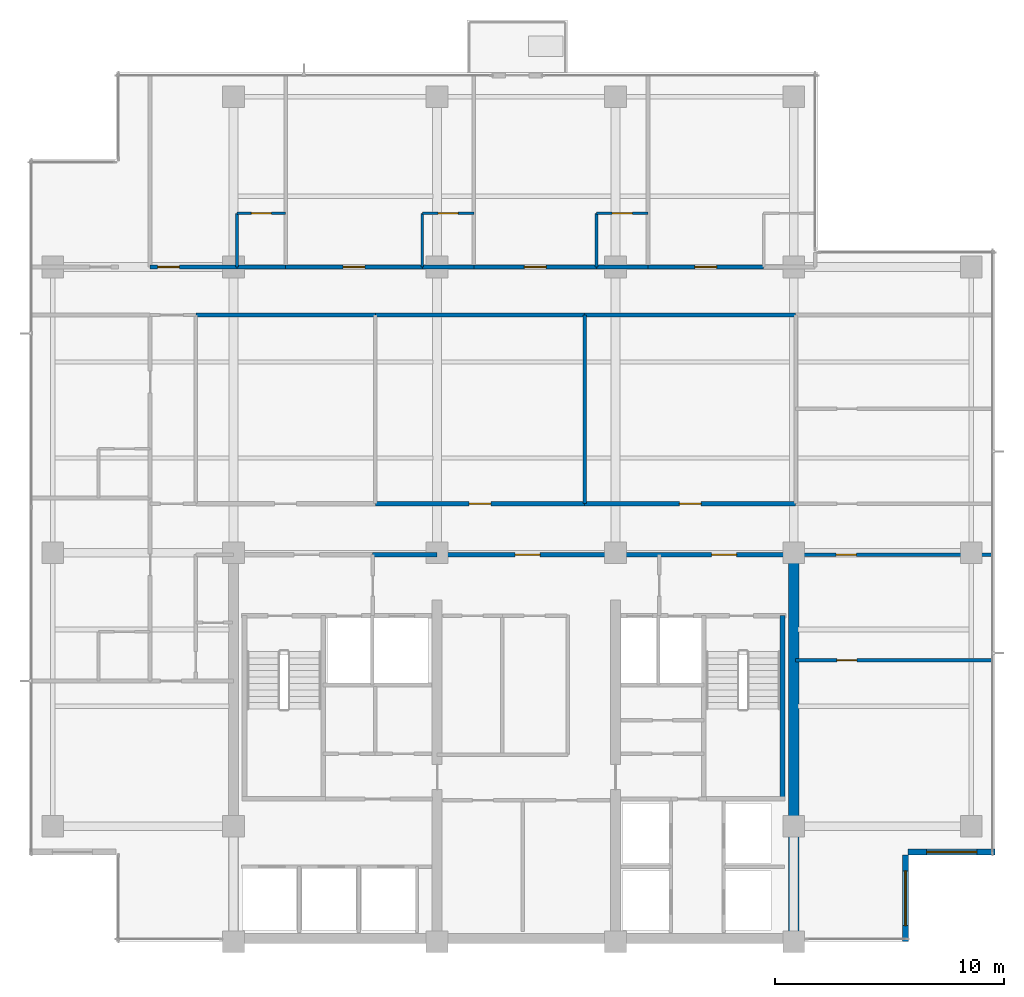
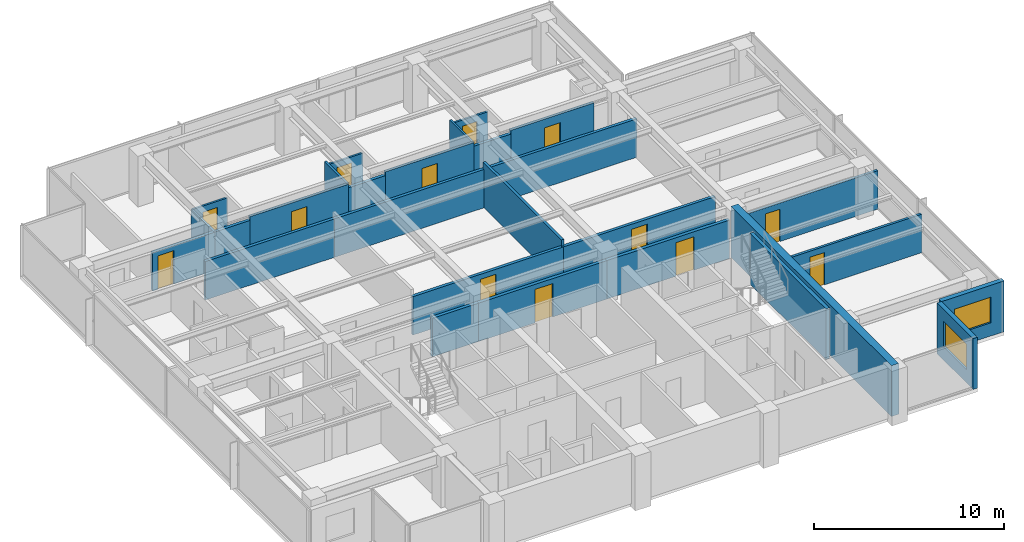
# One storey, part 9 of 15: 28 walls, 13 doors, 2 windows, 15 openings.
"""IFC4 building model written with IfcOpenShell, lengths in metres."""

from ifc_helpers import new_model, si_unit, direction, frame, frame_2d, origin, place, context, subcontext, project, spatial, rectangle, extrude, material, layer, layer_set, type_object, element, fill, save


model = new_model("IFC4")

# Units and contexts
model_context = context("Model", 3, precision=1e-05, world=origin(), true_north=direction((0.0, 1.0)))
body_context = subcontext(model_context, "Body", "Model", "MODEL_VIEW")
ifc_project = project(units=[si_unit("LENGTHUNIT", "METRE"), si_unit("AREAUNIT", "SQUARE_METRE"), si_unit("VOLUMEUNIT", "CUBIC_METRE"), si_unit("PLANEANGLEUNIT", "RADIAN"), si_unit("MASSUNIT", "GRAM", prefix="KILO")], contexts=[model_context])

# Site, building, storey
site_placement = place(None, origin())
site = spatial("IfcSite", under=ifc_project, at=site_placement, CompositionType="ELEMENT")
building_placement = place(site_placement, origin())
building = spatial("IfcBuilding", under=site, at=building_placement, Name="Qalmaran Belvedere Hotel", CompositionType="ELEMENT")
storey_placement = place(building_placement, frame((0.0, 0.0, 214.39990234375)))
storey = spatial("IfcBuildingStorey", under=building, at=storey_placement, Name="L54", CompositionType="ELEMENT", Elevation=214.39990234375)

# Wall
ifc_material_1 = material(Name="Concrete C50/60", Category="concrete")
ifc_layer_1 = layer(ifc_material_1, 0.449951171875, Name="Concrete C50/60")
ifc_layer_set_1 = layer_set([ifc_layer_1], Name="Concrete C50/60")
wall_type_1 = type_object("IfcWallType", Name="WL-CORE-450-C50", PredefinedType="SHEAR", material=ifc_layer_set_1)
wall_1_placement = place(storey_placement, frame((44.800048828125, 3.5, 0.0), z_axis=(0.0, 0.0, 1.0), x_axis=(0.0, 1.0, 0.0)))
element("IfcWall", 1, at=wall_1_placement, inside=storey, type_object=wall_type_1, Name="L54 East Core Shear Wall", PredefinedType="SHEAR", context=body_context, shape_type="SweptSolid", body=[
    extrude(rectangle(XDim=16.89990234375, YDim=0.449951171875, at=frame_2d((8.449951171875, 0.0))), origin(), (0.0, 0.0, 1.0), 3.260009765625),
])

# Wall, opening, window
ifc_material_2 = material(Name="Anodised Bronze Cladding")
ifc_layer_2 = layer(ifc_material_2, 0.280029296875, Name="Anodised Bronze Cladding")
ifc_layer_set_2 = layer_set([ifc_layer_2], Name="Anodised Bronze Cladding")
wall_type_2 = type_object("IfcWallType", Name="WL-EXT-BRNZ-280", PredefinedType="SOLIDWALL", material=ifc_layer_set_2)
wall_2_placement = place(storey_placement, frame((49.679931640625, 3.5, 0.0), z_axis=(0.0, 0.0, 1.0), x_axis=(0.0, 1.0, 0.0)))
wall_2 = element("IfcWall", 2, at=wall_2_placement, inside=storey, type_object=wall_type_2, Name="L54 Corner Notch Wall 1", PredefinedType="SOLIDWALL", context=body_context, shape_type="SweptSolid", body=[
    extrude(rectangle(XDim=3.800048828125, YDim=0.280029296875, at=frame_2d((1.89990234375, 0.0))), origin(), (0.0, 0.0, 1.0), 3.260009765625),
])
opening_1_placement = place(wall_2_placement, frame((0.699951171875, 0.0, 0.85009765625)))
opening_1 = element("IfcOpeningElement", 3, at=opening_1_placement, cuts=wall_2, Name="Opening W-N24", PredefinedType="OPENING", context=body_context, shape_type="SweptSolid", body=[
    extrude(rectangle(XDim=2.39990234375, YDim=1.64990234375, at=frame_2d((1.199951171875, 0.824951171875))), frame((0.0, 0.14990234375, 0.0), z_axis=(0.0, -1.0, 0.0), x_axis=(1.0, 0.0, 0.0)), (0.0, 0.0, 1.0), 0.300048828125),
])
ifc_material_3 = material(Name="Solar-Control Double Glazing", Category="glass")
window_type_1 = type_object("IfcWindowType", Name="WN-NTC-2400X1650", PartitioningType="SINGLE_PANEL", PredefinedType="WINDOW", material=ifc_material_3)
window_1_placement = place(opening_1_placement, origin())
window_1 = element("IfcWindow", 4, at=window_1_placement, inside=storey, type_object=window_type_1, Name="L54 Corner Notch Window 1", OverallHeight=1.64990234375, OverallWidth=2.39990234375, PartitioningType="SINGLE_PANEL", PredefinedType="WINDOW", context=body_context, shape_type="SweptSolid", body=[
    extrude(rectangle(XDim=2.39990234375, YDim=1.64990234375, at=frame_2d((1.199951171875, 0.824951171875))), frame((0.0, 0.030029296875, 0.0), z_axis=(0.0, -1.0, 0.0), x_axis=(1.0, 0.0, 0.0)), (0.0, 0.0, 1.0), 0.06005859375),
])
fill(opening_1, window_1)

wall_3_placement = place(storey_placement, frame((49.800048828125, 7.419921875, 0.0), z_axis=(0.0, 0.0, 1.0), x_axis=(1.0, 0.0, 0.0)))
wall_3 = element("IfcWall", 5, at=wall_3_placement, inside=storey, type_object=wall_type_2, Name="L54 Corner Notch Wall 2", PredefinedType="SOLIDWALL", context=body_context, shape_type="SweptSolid", body=[
    extrude(rectangle(XDim=3.800048828125, YDim=0.280029296875, at=frame_2d((1.89990234375, 0.0))), origin(), (0.0, 0.0, 1.0), 3.260009765625),
])
opening_2_placement = place(wall_3_placement, frame((0.800048828125, 0.0, 0.85009765625)))
opening_2 = element("IfcOpeningElement", 6, at=opening_2_placement, cuts=wall_3, Name="Opening W-N22", PredefinedType="OPENING", context=body_context, shape_type="SweptSolid", body=[
    extrude(rectangle(XDim=2.199951171875, YDim=1.64990234375, at=frame_2d((1.10009765625, 0.824951171875))), frame((0.0, 0.14990234375, 0.0), z_axis=(0.0, -1.0, 0.0), x_axis=(1.0, 0.0, 0.0)), (0.0, 0.0, 1.0), 0.300048828125),
])
window_type_2 = type_object("IfcWindowType", Name="WN-NTC-2200X1650", PartitioningType="SINGLE_PANEL", PredefinedType="WINDOW", material=ifc_material_3)
window_2_placement = place(opening_2_placement, origin())
window_2 = element("IfcWindow", 7, at=window_2_placement, inside=storey, type_object=window_type_2, Name="L54 Corner Notch Window 2", OverallHeight=1.64990234375, OverallWidth=2.199951171875, PartitioningType="SINGLE_PANEL", PredefinedType="WINDOW", context=body_context, shape_type="SweptSolid", body=[
    extrude(rectangle(XDim=2.199951171875, YDim=1.64990234375, at=frame_2d((1.10009765625, 0.824951171875))), frame((0.0, 0.030029296875, 0.0), z_axis=(0.0, -1.0, 0.0), x_axis=(1.0, 0.0, 0.0)), (0.0, 0.0, 1.0), 0.06005859375),
])
fill(opening_2, window_2)

# Wall, opening, door
ifc_material_4 = material(Name="Moisture-Resistant Gypsum")
ifc_layer_3 = layer(ifc_material_4, 0.1201171875, Name="Moisture-Resistant Gypsum")
ifc_layer_set_3 = layer_set([ifc_layer_3], Name="Moisture-Resistant Gypsum")
wall_type_3 = type_object("IfcWallType", Name="WL-INT-120-BATH", PredefinedType="PARTITIONING", material=ifc_layer_set_3)
wall_4_placement = place(storey_placement, frame((20.450439453125, 35.35009765625, 0.0), z_axis=(0.0, 0.0, 1.0), x_axis=(1.0, 0.0, 0.0)))
wall_4 = element("IfcWall", 8, at=wall_4_placement, inside=storey, type_object=wall_type_3, Name="L54 Partition WL-L54-NBN00", PredefinedType="PARTITIONING", context=body_context, shape_type="SweptSolid", body=[
    extrude(rectangle(XDim=2.1298828125, YDim=0.1201171875, at=frame_2d((1.06494140625, 0.0))), origin(), (0.0, 0.0, 1.0), 2.47216796875),
])
opening_3_placement = place(wall_4_placement, frame((1.5048828125, 0.0, 0.0), z_axis=(0.0, 0.0, 1.0), x_axis=(-1.0, 0.0, 0.0)))
opening_3 = element("IfcOpeningElement", 9, at=opening_3_placement, cuts=wall_4, Name="Opening D-BATH", PredefinedType="OPENING", context=body_context, shape_type="SweptSolid", body=[
    extrude(rectangle(XDim=0.8798828125, YDim=2.080078125, at=frame_2d((0.43994140625, 1.0400390625))), frame((0.0, 0.070068359375, 0.0), z_axis=(0.0, -1.0, 0.0), x_axis=(1.0, 0.0, 0.0)), (0.0, 0.0, 1.0), 0.14013671875),
])
ifc_material_5 = material(Name="Engineered Oak Veneer")
door_type_1 = type_object("IfcDoorType", Name="DR-INT-BATH-880X2080", OperationType="NOTDEFINED", PredefinedType="DOOR", material=ifc_material_5)
door_1_placement = place(opening_3_placement, origin())
door_1 = element("IfcDoor", 10, at=door_1_placement, inside=storey, type_object=door_type_1, Name="L54 Ensuite Bathroom Door N01", OperationType="SINGLE_SWING_RIGHT", OverallHeight=2.080078125, OverallWidth=0.8798828125, PredefinedType="DOOR", context=body_context, shape_type="SweptSolid", body=[
    extrude(rectangle(XDim=0.8798828125, YDim=2.080078125, at=frame_2d((0.43994140625, 1.0400390625))), frame((0.0, 0.02490234375, 0.0), z_axis=(0.0, -1.0, 0.0), x_axis=(1.0, 0.0, 0.0)), (0.0, 0.0, 1.0), 0.050048828125),
])
fill(opening_3, door_1)

# Wall
wall_5_placement = place(storey_placement, frame((20.450439453125, 33.0, 0.0), z_axis=(0.0, 0.0, 1.0), x_axis=(0.0, 1.0, 0.0)))
element("IfcWall", 11, at=wall_5_placement, inside=storey, type_object=wall_type_3, Name="L54 Partition WL-L54-NBS00", PredefinedType="PARTITIONING", context=body_context, shape_type="SweptSolid", body=[
    extrude(rectangle(XDim=2.35009765625, YDim=0.1201171875, at=frame_2d((1.175048828125, 0.0))), origin(), (0.0, 0.0, 1.0), 2.47216796875),
])

# Wall, opening, door
wall_6_placement = place(storey_placement, frame((28.5546875, 35.35009765625, 0.0), z_axis=(0.0, 0.0, 1.0), x_axis=(1.0, 0.0, 0.0)))
wall_6 = element("IfcWall", 12, at=wall_6_placement, inside=storey, type_object=wall_type_3, Name="L54 Partition WL-L54-NBN01", PredefinedType="PARTITIONING", context=body_context, shape_type="SweptSolid", body=[
    extrude(rectangle(XDim=2.25, YDim=0.1201171875, at=frame_2d((1.125, 0.0))), origin(), (0.0, 0.0, 1.0), 2.47216796875),
])
opening_4_placement = place(wall_6_placement, frame((1.56494140625, 0.0, 0.0), z_axis=(0.0, 0.0, 1.0), x_axis=(-1.0, 0.0, 0.0)))
opening_4 = element("IfcOpeningElement", 13, at=opening_4_placement, cuts=wall_6, Name="Opening D-BATH", PredefinedType="OPENING", context=body_context, shape_type="SweptSolid", body=[
    extrude(rectangle(XDim=0.8798828125, YDim=2.080078125, at=frame_2d((0.43994140625, 1.0400390625))), frame((0.0, 0.070068359375, 0.0), z_axis=(0.0, -1.0, 0.0), x_axis=(1.0, 0.0, 0.0)), (0.0, 0.0, 1.0), 0.14013671875),
])
door_2_placement = place(opening_4_placement, origin())
door_2 = element("IfcDoor", 14, at=door_2_placement, inside=storey, type_object=door_type_1, Name="L54 Ensuite Bathroom Door N02", OperationType="SINGLE_SWING_RIGHT", OverallHeight=2.080078125, OverallWidth=0.8798828125, PredefinedType="DOOR", context=body_context, shape_type="SweptSolid", body=[
    extrude(rectangle(XDim=0.8798828125, YDim=2.080078125, at=frame_2d((0.43994140625, 1.0400390625))), frame((0.0, 0.02490234375, 0.0), z_axis=(0.0, -1.0, 0.0), x_axis=(1.0, 0.0, 0.0)), (0.0, 0.0, 1.0), 0.050048828125),
])
fill(opening_4, door_2)

# Wall
wall_7_placement = place(storey_placement, frame((28.5546875, 33.0, 0.0), z_axis=(0.0, 0.0, 1.0), x_axis=(0.0, 1.0, 0.0)))
element("IfcWall", 15, at=wall_7_placement, inside=storey, type_object=wall_type_3, Name="L54 Partition WL-L54-NBS01", PredefinedType="PARTITIONING", context=body_context, shape_type="SweptSolid", body=[
    extrude(rectangle(XDim=2.35009765625, YDim=0.1201171875, at=frame_2d((1.175048828125, 0.0))), origin(), (0.0, 0.0, 1.0), 2.7060546875),
])

# Wall, opening, door
wall_8_placement = place(storey_placement, frame((36.169677734375, 35.35009765625, 0.0), z_axis=(0.0, 0.0, 1.0), x_axis=(1.0, 0.0, 0.0)))
wall_8 = element("IfcWall", 16, at=wall_8_placement, inside=storey, type_object=wall_type_3, Name="L54 Partition WL-L54-NBN02", PredefinedType="PARTITIONING", context=body_context, shape_type="SweptSolid", body=[
    extrude(rectangle(XDim=2.25, YDim=0.1201171875, at=frame_2d((1.125, 0.0))), origin(), (0.0, 0.0, 1.0), 2.47216796875),
])
opening_5_placement = place(wall_8_placement, frame((1.56494140625, 0.0, 0.0), z_axis=(0.0, 0.0, 1.0), x_axis=(-1.0, 0.0, 0.0)))
opening_5 = element("IfcOpeningElement", 17, at=opening_5_placement, cuts=wall_8, Name="Opening D-BATH", PredefinedType="OPENING", context=body_context, shape_type="SweptSolid", body=[
    extrude(rectangle(XDim=0.8798828125, YDim=2.080078125, at=frame_2d((0.43994140625, 1.0400390625))), frame((0.0, 0.070068359375, 0.0), z_axis=(0.0, -1.0, 0.0), x_axis=(1.0, 0.0, 0.0)), (0.0, 0.0, 1.0), 0.14013671875),
])
door_3_placement = place(opening_5_placement, origin())
door_3 = element("IfcDoor", 18, at=door_3_placement, inside=storey, type_object=door_type_1, Name="L54 Ensuite Bathroom Door N03", OperationType="SINGLE_SWING_RIGHT", OverallHeight=2.080078125, OverallWidth=0.8798828125, PredefinedType="DOOR", context=body_context, shape_type="SweptSolid", body=[
    extrude(rectangle(XDim=0.8798828125, YDim=2.080078125, at=frame_2d((0.43994140625, 1.0400390625))), frame((0.0, 0.02490234375, 0.0), z_axis=(0.0, -1.0, 0.0), x_axis=(1.0, 0.0, 0.0)), (0.0, 0.0, 1.0), 0.050048828125),
])
fill(opening_5, door_3)

# Wall
wall_9_placement = place(storey_placement, frame((36.169677734375, 33.0, 0.0), z_axis=(0.0, 0.0, 1.0), x_axis=(0.0, 1.0, 0.0)))
element("IfcWall", 19, at=wall_9_placement, inside=storey, type_object=wall_type_3, Name="L54 Partition WL-L54-NBS02", PredefinedType="PARTITIONING", context=body_context, shape_type="SweptSolid", body=[
    extrude(rectangle(XDim=2.35009765625, YDim=0.1201171875, at=frame_2d((1.175048828125, 0.0))), origin(), (0.0, 0.0, 1.0), 2.7060546875),
])

# Wall, opening, door
ifc_material_6 = material(Name="Gypsum Stud Partition")
ifc_layer_4 = layer(ifc_material_6, 0.14990234375, Name="Gypsum Stud Partition")
ifc_layer_set_4 = layer_set([ifc_layer_4], Name="Gypsum Stud Partition")
wall_type_4 = type_object("IfcWallType", Name="WL-INT-150-EI60", PredefinedType="PARTITIONING", material=ifc_layer_set_4)
wall_10_placement = place(storey_placement, frame((44.8798828125, 15.800048828125, 0.0), z_axis=(0.0, 0.0, 1.0), x_axis=(1.0, 0.0, 0.0)))
wall_10 = element("IfcWall", 20, at=wall_10_placement, inside=storey, type_object=wall_type_4, Name="L54 Partition WL-L54-ECEH0", PredefinedType="PARTITIONING", context=body_context, shape_type="SweptSolid", body=[
    extrude(rectangle(XDim=8.60009765625, YDim=0.14990234375, at=frame_2d((4.300048828125, 0.0))), origin(), (0.0, 0.0, 1.0), 2.47216796875),
])
opening_6_placement = place(wall_10_placement, frame((2.679931640625, 0.0, 0.0), z_axis=(0.0, 0.0, 1.0), x_axis=(-1.0, 0.0, 0.0)))
opening_6 = element("IfcOpeningElement", 21, at=opening_6_placement, cuts=wall_10, Name="Opening FD60B", PredefinedType="OPENING", context=body_context, shape_type="SweptSolid", body=[
    extrude(rectangle(XDim=0.8798828125, YDim=2.080078125, at=frame_2d((0.43994140625, 1.0400390625))), frame((0.0, 0.0849609375, 0.0), z_axis=(0.0, -1.0, 0.0), x_axis=(1.0, 0.0, 0.0)), (0.0, 0.0, 1.0), 0.169921875),
])
ifc_material_7 = material(Name="Steel S355JR", Category="steel")
door_type_2 = type_object("IfcDoorType", Name="DR-FD60B-880X2080", OperationType="NOTDEFINED", PredefinedType="DOOR", material=ifc_material_7)
door_4_placement = place(opening_6_placement, origin())
door_4 = element("IfcDoor", 22, at=door_4_placement, inside=storey, type_object=door_type_2, Name="L54 East Study Inner Door", OperationType="SINGLE_SWING_LEFT", OverallHeight=2.080078125, OverallWidth=0.8798828125, PredefinedType="DOOR", context=body_context, shape_type="SweptSolid", body=[
    extrude(rectangle(XDim=0.8798828125, YDim=2.080078125, at=frame_2d((0.43994140625, 1.0400390625))), frame((0.0, 0.02490234375, 0.0), z_axis=(0.0, -1.0, 0.0), x_axis=(1.0, 0.0, 0.0)), (0.0, 0.0, 1.0), 0.050048828125),
])
fill(opening_6, door_4)

ifc_layer_5 = layer(ifc_material_6, 0.159912109375, Name="Gypsum Stud Partition")
ifc_layer_set_5 = layer_set([ifc_layer_5], Name="Gypsum Stud Partition")
wall_type_5 = type_object("IfcWallType", Name="WL-INT-160-EI60", PredefinedType="PARTITIONING", material=ifc_layer_set_5)
wall_11_placement = place(storey_placement, frame((44.800048828125, 20.419921875, 0.0), z_axis=(0.0, 0.0, 1.0), x_axis=(1.0, 0.0, 0.0)))
wall_11 = element("IfcWall", 23, at=wall_11_placement, inside=storey, type_object=wall_type_5, Name="L54 Partition WL-L54-ECE1S", PredefinedType="PARTITIONING", context=body_context, shape_type="SweptSolid", body=[
    extrude(rectangle(XDim=8.679931640625, YDim=0.159912109375, at=frame_2d((4.33984375, 0.0))), origin(), (0.0, 0.0, 1.0), 2.47216796875),
])
opening_7_placement = place(wall_11_placement, frame((2.72998046875, 0.0, 0.0), z_axis=(0.0, 0.0, 1.0), x_axis=(-1.0, 0.0, 0.0)))
opening_7 = element("IfcOpeningElement", 24, at=opening_7_placement, cuts=wall_11, Name="Opening FD60B", PredefinedType="OPENING", context=body_context, shape_type="SweptSolid", body=[
    extrude(rectangle(XDim=0.8798828125, YDim=2.080078125, at=frame_2d((0.43994140625, 1.0400390625))), frame((0.0, 0.08984375, 0.0), z_axis=(0.0, -1.0, 0.0), x_axis=(1.0, 0.0, 0.0)), (0.0, 0.0, 1.0), 0.179931640625),
])
door_5_placement = place(opening_7_placement, origin())
door_5 = element("IfcDoor", 25, at=door_5_placement, inside=storey, type_object=door_type_2, Name="L54 East Library Door", OperationType="SINGLE_SWING_LEFT", OverallHeight=2.080078125, OverallWidth=0.8798828125, PredefinedType="DOOR", context=body_context, shape_type="SweptSolid", body=[
    extrude(rectangle(XDim=0.8798828125, YDim=2.080078125, at=frame_2d((0.43994140625, 1.0400390625))), frame((0.0, 0.02490234375, 0.0), z_axis=(0.0, -1.0, 0.0), x_axis=(1.0, 0.0, 0.0)), (0.0, 0.0, 1.0), 0.050048828125),
])
fill(opening_7, door_5)

# Walls
wall_12_placement = place(storey_placement, frame((35.64990234375, 22.64990234375, 0.0), z_axis=(0.0, 0.0, 1.0), x_axis=(0.0, 1.0, 0.0)))
element("IfcWall", 26, at=wall_12_placement, inside=storey, type_object=wall_type_5, Name="L54 Partition WL-L54-MIDVR2", PredefinedType="PARTITIONING", context=body_context, shape_type="SweptSolid", body=[
    extrude(rectangle(XDim=8.25, YDim=0.159912109375, at=frame_2d((4.125, 0.0))), origin(), (0.0, 0.0, 1.0), 2.88720703125),
])
ifc_layer_6 = layer(ifc_material_6, 0.179931640625, Name="Gypsum Stud Partition")
ifc_layer_set_6 = layer_set([ifc_layer_6], Name="Gypsum Stud Partition")
wall_type_6 = type_object("IfcWallType", Name="WL-INT-180-EI60", PredefinedType="PARTITIONING", material=ifc_layer_set_6)
wall_13_placement = place(storey_placement, frame((18.64990234375, 30.89990234375, 0.0), z_axis=(0.0, 0.0, 1.0), x_axis=(1.0, 0.0, 0.0)))
element("IfcWall", 27, at=wall_13_placement, inside=storey, type_object=wall_type_6, Name="L54 Partition WL-L54-MIDO1", PredefinedType="PARTITIONING", context=body_context, shape_type="SweptSolid", body=[
    extrude(rectangle(XDim=7.85009765625, YDim=0.179931640625, at=frame_2d((3.925048828125, 0.0))), origin(), (0.0, 0.0, 1.0), 2.47216796875),
])

# Wall, opening, door
wall_14_placement = place(storey_placement, frame((26.5, 22.64990234375, 0.0), z_axis=(0.0, 0.0, 1.0), x_axis=(1.0, 0.0, 0.0)))
wall_14 = element("IfcWall", 28, at=wall_14_placement, inside=storey, type_object=wall_type_6, Name="L54 Partition WL-L54-MIDD2", PredefinedType="PARTITIONING", context=body_context, shape_type="SweptSolid", body=[
    extrude(rectangle(XDim=9.14990234375, YDim=0.179931640625, at=frame_2d((4.574951171875, 0.0))), origin(), (0.0, 0.0, 1.0), 2.47216796875),
])
opening_8_placement = place(wall_14_placement, frame((4.10009765625, 0.0, 0.0)))
opening_8 = element("IfcOpeningElement", 29, at=opening_8_placement, cuts=wall_14, Name="Opening FD60", PredefinedType="OPENING", context=body_context, shape_type="SweptSolid", body=[
    extrude(rectangle(XDim=0.949951171875, YDim=2.14990234375, at=frame_2d((0.47509765625, 1.074951171875))), frame((0.0, 0.10009765625, 0.0), z_axis=(0.0, -1.0, 0.0), x_axis=(1.0, 0.0, 0.0)), (0.0, 0.0, 1.0), 0.199951171875),
])
door_type_3 = type_object("IfcDoorType", Name="DR-FD60-950X2150", OperationType="NOTDEFINED", PredefinedType="DOOR", material=ifc_material_5)
door_6_placement = place(opening_8_placement, origin())
door_6 = element("IfcDoor", 30, at=door_6_placement, inside=storey, type_object=door_type_3, Name="L54 Club Lounge Door", OperationType="SINGLE_SWING_RIGHT", OverallHeight=2.14990234375, OverallWidth=0.949951171875, PredefinedType="DOOR", context=body_context, shape_type="SweptSolid", body=[
    extrude(rectangle(XDim=0.949951171875, YDim=2.14990234375, at=frame_2d((0.47509765625, 1.074951171875))), frame((0.0, 0.02490234375, 0.0), z_axis=(0.0, -1.0, 0.0), x_axis=(1.0, 0.0, 0.0)), (0.0, 0.0, 1.0), 0.050048828125),
])
fill(opening_8, door_6)

# Wall
wall_15_placement = place(storey_placement, frame((26.5, 30.89990234375, 0.0), z_axis=(0.0, 0.0, 1.0), x_axis=(1.0, 0.0, 0.0)))
element("IfcWall", 31, at=wall_15_placement, inside=storey, type_object=wall_type_6, Name="L54 Partition WL-L54-MIDO2", PredefinedType="PARTITIONING", context=body_context, shape_type="SweptSolid", body=[
    extrude(rectangle(XDim=9.14990234375, YDim=0.179931640625, at=frame_2d((4.574951171875, 0.0))), origin(), (0.0, 0.0, 1.0), 2.47216796875),
])

# Wall, opening, door
wall_16_placement = place(storey_placement, frame((35.64990234375, 22.64990234375, 0.0), z_axis=(0.0, 0.0, 1.0), x_axis=(1.0, 0.0, 0.0)))
wall_16 = element("IfcWall", 32, at=wall_16_placement, inside=storey, type_object=wall_type_6, Name="L54 Partition WL-L54-MIDD3", PredefinedType="PARTITIONING", context=body_context, shape_type="SweptSolid", body=[
    extrude(rectangle(XDim=9.22998046875, YDim=0.179931640625, at=frame_2d((4.614990234375, 0.0))), origin(), (0.0, 0.0, 1.0), 2.47216796875),
])
opening_9_placement = place(wall_16_placement, frame((4.139892578125, 0.0, 0.0)))
opening_9 = element("IfcOpeningElement", 33, at=opening_9_placement, cuts=wall_16, Name="Opening FD60", PredefinedType="OPENING", context=body_context, shape_type="SweptSolid", body=[
    extrude(rectangle(XDim=0.949951171875, YDim=2.14990234375, at=frame_2d((0.47509765625, 1.074951171875))), frame((0.0, 0.10009765625, 0.0), z_axis=(0.0, -1.0, 0.0), x_axis=(1.0, 0.0, 0.0)), (0.0, 0.0, 1.0), 0.199951171875),
])
door_7_placement = place(opening_9_placement, origin())
door_7 = element("IfcDoor", 34, at=door_7_placement, inside=storey, type_object=door_type_3, Name="L54 Fitness Spa Door", OperationType="SINGLE_SWING_LEFT", OverallHeight=2.14990234375, OverallWidth=0.949951171875, PredefinedType="DOOR", context=body_context, shape_type="SweptSolid", body=[
    extrude(rectangle(XDim=0.949951171875, YDim=2.14990234375, at=frame_2d((0.47509765625, 1.074951171875))), frame((0.0, 0.02490234375, 0.0), z_axis=(0.0, -1.0, 0.0), x_axis=(1.0, 0.0, 0.0)), (0.0, 0.0, 1.0), 0.050048828125),
])
fill(opening_9, door_7)

# Walls
wall_17_placement = place(storey_placement, frame((35.64990234375, 30.89990234375, 0.0), z_axis=(0.0, 0.0, 1.0), x_axis=(1.0, 0.0, 0.0)))
element("IfcWall", 35, at=wall_17_placement, inside=storey, type_object=wall_type_6, Name="L54 Partition WL-L54-MIDO3", PredefinedType="PARTITIONING", context=body_context, shape_type="SweptSolid", body=[
    extrude(rectangle(XDim=9.22998046875, YDim=0.179931640625, at=frame_2d((4.614990234375, 0.0))), origin(), (0.0, 0.0, 1.0), 2.47216796875),
])
wall_18_placement = place(storey_placement, frame((20.450439453125, 33.0, 0.0), z_axis=(0.0, 0.0, 1.0), x_axis=(1.0, 0.0, 0.0)))
element("IfcWall", 36, at=wall_18_placement, inside=storey, type_object=wall_type_6, Name="L54 Partition WL-L54-NBC00", PredefinedType="PARTITIONING", context=body_context, shape_type="SweptSolid", body=[
    extrude(rectangle(XDim=2.1298828125, YDim=0.179931640625, at=frame_2d((1.06494140625, 0.0))), origin(), (0.0, 0.0, 1.0), 2.47216796875),
])

# Wall, opening, door
wall_19_placement = place(storey_placement, frame((16.64990234375, 33.0, 0.0), z_axis=(0.0, 0.0, 1.0), x_axis=(1.0, 0.0, 0.0)))
wall_19 = element("IfcWall", 37, at=wall_19_placement, inside=storey, type_object=wall_type_6, Name="L54 Partition WL-L54-NEC00", PredefinedType="PARTITIONING", context=body_context, shape_type="SweptSolid", body=[
    extrude(rectangle(XDim=3.800537109375, YDim=0.179931640625, at=frame_2d((1.900390625, 0.0))), origin(), (0.0, 0.0, 1.0), 2.47216796875),
])
opening_10_placement = place(wall_19_placement, frame((0.334716796875, 0.0, 0.0)))
opening_10 = element("IfcOpeningElement", 38, at=opening_10_placement, cuts=wall_19, Name="Opening FD60", PredefinedType="OPENING", context=body_context, shape_type="SweptSolid", body=[
    extrude(rectangle(XDim=0.949951171875, YDim=2.14990234375, at=frame_2d((0.47509765625, 1.074951171875))), frame((0.0, 0.10009765625, 0.0), z_axis=(0.0, -1.0, 0.0), x_axis=(1.0, 0.0, 0.0)), (0.0, 0.0, 1.0), 0.199951171875),
])
door_8_placement = place(opening_10_placement, origin())
door_8 = element("IfcDoor", 39, at=door_8_placement, inside=storey, type_object=door_type_3, Name="L54 Guest Entrance Door N01", OperationType="SINGLE_SWING_LEFT", OverallHeight=2.14990234375, OverallWidth=0.949951171875, PredefinedType="DOOR", context=body_context, shape_type="SweptSolid", body=[
    extrude(rectangle(XDim=0.949951171875, YDim=2.14990234375, at=frame_2d((0.47509765625, 1.074951171875))), frame((0.0, 0.02490234375, 0.0), z_axis=(0.0, -1.0, 0.0), x_axis=(1.0, 0.0, 0.0)), (0.0, 0.0, 1.0), 0.050048828125),
])
fill(opening_10, door_8)

# Wall
wall_20_placement = place(storey_placement, frame((28.5546875, 33.0, 0.0), z_axis=(0.0, 0.0, 1.0), x_axis=(1.0, 0.0, 0.0)))
element("IfcWall", 40, at=wall_20_placement, inside=storey, type_object=wall_type_6, Name="L54 Partition WL-L54-NBC01", PredefinedType="PARTITIONING", context=body_context, shape_type="SweptSolid", body=[
    extrude(rectangle(XDim=2.25, YDim=0.179931640625, at=frame_2d((1.125, 0.0))), origin(), (0.0, 0.0, 1.0), 2.47216796875),
])

# Wall, opening, door
wall_21_placement = place(storey_placement, frame((22.580322265625, 33.0, 0.0), z_axis=(0.0, 0.0, 1.0), x_axis=(1.0, 0.0, 0.0)))
wall_21 = element("IfcWall", 41, at=wall_21_placement, inside=storey, type_object=wall_type_6, Name="L54 Partition WL-L54-NEC01", PredefinedType="PARTITIONING", context=body_context, shape_type="SweptSolid", body=[
    extrude(rectangle(XDim=5.974365234375, YDim=0.179931640625, at=frame_2d((2.9873046875, 0.0))), origin(), (0.0, 0.0, 1.0), 2.7060546875),
])
opening_11_placement = place(wall_21_placement, frame((2.51220703125, 0.0, 0.0)))
opening_11 = element("IfcOpeningElement", 42, at=opening_11_placement, cuts=wall_21, Name="Opening FD60", PredefinedType="OPENING", context=body_context, shape_type="SweptSolid", body=[
    extrude(rectangle(XDim=0.949951171875, YDim=2.14990234375, at=frame_2d((0.47509765625, 1.074951171875))), frame((0.0, 0.10009765625, 0.0), z_axis=(0.0, -1.0, 0.0), x_axis=(1.0, 0.0, 0.0)), (0.0, 0.0, 1.0), 0.199951171875),
])
door_9_placement = place(opening_11_placement, origin())
door_9 = element("IfcDoor", 43, at=door_9_placement, inside=storey, type_object=door_type_3, Name="L54 Guest Entrance Door N02", OperationType="SINGLE_SWING_LEFT", OverallHeight=2.14990234375, OverallWidth=0.949951171875, PredefinedType="DOOR", context=body_context, shape_type="SweptSolid", body=[
    extrude(rectangle(XDim=0.949951171875, YDim=2.14990234375, at=frame_2d((0.47509765625, 1.074951171875))), frame((0.0, 0.02490234375, 0.0), z_axis=(0.0, -1.0, 0.0), x_axis=(1.0, 0.0, 0.0)), (0.0, 0.0, 1.0), 0.050048828125),
])
fill(opening_11, door_9)

# Wall
wall_22_placement = place(storey_placement, frame((36.169677734375, 33.0, 0.0), z_axis=(0.0, 0.0, 1.0), x_axis=(1.0, 0.0, 0.0)))
element("IfcWall", 44, at=wall_22_placement, inside=storey, type_object=wall_type_6, Name="L54 Partition WL-L54-NBC02", PredefinedType="PARTITIONING", context=body_context, shape_type="SweptSolid", body=[
    extrude(rectangle(XDim=2.25, YDim=0.179931640625, at=frame_2d((1.125, 0.0))), origin(), (0.0, 0.0, 1.0), 2.47216796875),
])

# Wall, opening, door
wall_23_placement = place(storey_placement, frame((30.8046875, 33.0, 0.0), z_axis=(0.0, 0.0, 1.0), x_axis=(1.0, 0.0, 0.0)))
wall_23 = element("IfcWall", 45, at=wall_23_placement, inside=storey, type_object=wall_type_6, Name="L54 Partition WL-L54-NEC02", PredefinedType="PARTITIONING", context=body_context, shape_type="SweptSolid", body=[
    extrude(rectangle(XDim=5.364990234375, YDim=0.179931640625, at=frame_2d((2.6826171875, 0.0))), origin(), (0.0, 0.0, 1.0), 2.7060546875),
])
opening_12_placement = place(wall_23_placement, frame((2.20751953125, 0.0, 0.0)))
opening_12 = element("IfcOpeningElement", 46, at=opening_12_placement, cuts=wall_23, Name="Opening FD60", PredefinedType="OPENING", context=body_context, shape_type="SweptSolid", body=[
    extrude(rectangle(XDim=0.949951171875, YDim=2.14990234375, at=frame_2d((0.47509765625, 1.074951171875))), frame((0.0, 0.10009765625, 0.0), z_axis=(0.0, -1.0, 0.0), x_axis=(1.0, 0.0, 0.0)), (0.0, 0.0, 1.0), 0.199951171875),
])
door_10_placement = place(opening_12_placement, origin())
door_10 = element("IfcDoor", 47, at=door_10_placement, inside=storey, type_object=door_type_3, Name="L54 Guest Entrance Door N03", OperationType="SINGLE_SWING_LEFT", OverallHeight=2.14990234375, OverallWidth=0.949951171875, PredefinedType="DOOR", context=body_context, shape_type="SweptSolid", body=[
    extrude(rectangle(XDim=0.949951171875, YDim=2.14990234375, at=frame_2d((0.47509765625, 1.074951171875))), frame((0.0, 0.02490234375, 0.0), z_axis=(0.0, -1.0, 0.0), x_axis=(1.0, 0.0, 0.0)), (0.0, 0.0, 1.0), 0.050048828125),
])
fill(opening_12, door_10)

wall_24_placement = place(storey_placement, frame((38.419677734375, 33.0, 0.0), z_axis=(0.0, 0.0, 1.0), x_axis=(1.0, 0.0, 0.0)))
wall_24 = element("IfcWall", 48, at=wall_24_placement, inside=storey, type_object=wall_type_6, Name="L54 Partition WL-L54-NEC03", PredefinedType="PARTITIONING", context=body_context, shape_type="SweptSolid", body=[
    extrude(rectangle(XDim=5.060302734375, YDim=0.179931640625, at=frame_2d((2.5302734375, 0.0))), origin(), (0.0, 0.0, 1.0), 2.7060546875),
])
opening_13_placement = place(wall_24_placement, frame((2.05517578125, 0.0, 0.0)))
opening_13 = element("IfcOpeningElement", 49, at=opening_13_placement, cuts=wall_24, Name="Opening FD60", PredefinedType="OPENING", context=body_context, shape_type="SweptSolid", body=[
    extrude(rectangle(XDim=0.949951171875, YDim=2.14990234375, at=frame_2d((0.47509765625, 1.074951171875))), frame((0.0, 0.10009765625, 0.0), z_axis=(0.0, -1.0, 0.0), x_axis=(1.0, 0.0, 0.0)), (0.0, 0.0, 1.0), 0.199951171875),
])
door_11_placement = place(opening_13_placement, origin())
door_11 = element("IfcDoor", 50, at=door_11_placement, inside=storey, type_object=door_type_3, Name="L54 Guest Entrance Door N04", OperationType="SINGLE_SWING_LEFT", OverallHeight=2.14990234375, OverallWidth=0.949951171875, PredefinedType="DOOR", context=body_context, shape_type="SweptSolid", body=[
    extrude(rectangle(XDim=0.949951171875, YDim=2.14990234375, at=frame_2d((0.47509765625, 1.074951171875))), frame((0.0, 0.02490234375, 0.0), z_axis=(0.0, -1.0, 0.0), x_axis=(1.0, 0.0, 0.0)), (0.0, 0.0, 1.0), 0.050048828125),
])
fill(opening_13, door_11)

# Wall
ifc_material_8 = material(Name="Concrete C30/37 Blockwork", Category="masonry")
ifc_layer_7 = layer(ifc_material_8, 0.199951171875, Name="Concrete C30/37 Blockwork")
ifc_layer_set_7 = layer_set([ifc_layer_7], Name="Concrete C30/37 Blockwork")
wall_type_7 = type_object("IfcWallType", Name="WL-INT-200-EI120", PredefinedType="PARTITIONING", material=ifc_layer_set_7)
wall_25_placement = place(storey_placement, frame((26.3798828125, 20.419921875, 0.0), z_axis=(0.0, 0.0, 1.0), x_axis=(1.0, 0.0, 0.0)))
element("IfcWall", 51, at=wall_25_placement, inside=storey, type_object=wall_type_7, Name="L54 Partition WL-CN1B-L54", PredefinedType="PARTITIONING", context=body_context, shape_type="SweptSolid", body=[
    extrude(rectangle(XDim=2.820068359375, YDim=0.199951171875, at=frame_2d((1.41015625, 0.0))), origin(), (0.0, 0.0, 1.0), 2.47216796875),
])

# Wall, opening, door
wall_26_placement = place(storey_placement, frame((29.199951171875, 20.419921875, 0.0), z_axis=(0.0, 0.0, 1.0), x_axis=(1.0, 0.0, 0.0)))
wall_26 = element("IfcWall", 52, at=wall_26_placement, inside=storey, type_object=wall_type_7, Name="L54 Partition WL-CN2-L54", PredefinedType="PARTITIONING", context=body_context, shape_type="SweptSolid", body=[
    extrude(rectangle(XDim=7.800048828125, YDim=0.199951171875, at=frame_2d((3.89990234375, 0.0))), origin(), (0.0, 0.0, 1.0), 2.47216796875),
])
opening_14_placement = place(wall_26_placement, frame((3.4091796875, 0.0, 0.0)))
opening_14 = element("IfcOpeningElement", 53, at=opening_14_placement, cuts=wall_26, Name="Opening FD90", PredefinedType="OPENING", context=body_context, shape_type="SweptSolid", body=[
    extrude(rectangle(XDim=1.10009765625, YDim=2.14990234375, at=frame_2d((0.550048828125, 1.074951171875))), frame((0.0, 0.10986328125, 0.0), z_axis=(0.0, -1.0, 0.0), x_axis=(1.0, 0.0, 0.0)), (0.0, 0.0, 1.0), 0.219970703125),
])
door_type_4 = type_object("IfcDoorType", Name="DR-FD90-1100X2150", OperationType="NOTDEFINED", PredefinedType="DOOR", material=ifc_material_7)
door_12_placement = place(opening_14_placement, origin())
door_12 = element("IfcDoor", 54, at=door_12_placement, inside=storey, type_object=door_type_4, Name="L54 Central Lift Lobby Door", OperationType="SINGLE_SWING_LEFT", OverallHeight=2.14990234375, OverallWidth=1.10009765625, PredefinedType="DOOR", context=body_context, shape_type="SweptSolid", body=[
    extrude(rectangle(XDim=1.10009765625, YDim=2.14990234375, at=frame_2d((0.550048828125, 1.074951171875))), frame((0.0, 0.02490234375, 0.0), z_axis=(0.0, -1.0, 0.0), x_axis=(1.0, 0.0, 0.0)), (0.0, 0.0, 1.0), 0.050048828125),
])
fill(opening_14, door_12)

wall_27_placement = place(storey_placement, frame((37.0, 20.419921875, 0.0), z_axis=(0.0, 0.0, 1.0), x_axis=(1.0, 0.0, 0.0)))
wall_27 = element("IfcWall", 55, at=wall_27_placement, inside=storey, type_object=wall_type_7, Name="L54 Partition WL-CN3-L54", PredefinedType="PARTITIONING", context=body_context, shape_type="SweptSolid", body=[
    extrude(rectangle(XDim=7.449951171875, YDim=0.199951171875, at=frame_2d((3.72509765625, 0.0))), origin(), (0.0, 0.0, 1.0), 2.47216796875),
])
opening_15_placement = place(wall_27_placement, frame((4.199951171875, 0.0, 0.0)))
opening_15 = element("IfcOpeningElement", 56, at=opening_15_placement, cuts=wall_27, Name="Opening FD90", PredefinedType="OPENING", context=body_context, shape_type="SweptSolid", body=[
    extrude(rectangle(XDim=1.10009765625, YDim=2.14990234375, at=frame_2d((0.550048828125, 1.074951171875))), frame((0.0, 0.10986328125, 0.0), z_axis=(0.0, -1.0, 0.0), x_axis=(1.0, 0.0, 0.0)), (0.0, 0.0, 1.0), 0.219970703125),
])
door_13_placement = place(opening_15_placement, origin())
door_13 = element("IfcDoor", 57, at=door_13_placement, inside=storey, type_object=door_type_4, Name="L54 FF2 Lobby Corridor Door", OperationType="SINGLE_SWING_RIGHT", OverallHeight=2.14990234375, OverallWidth=1.10009765625, PredefinedType="DOOR", context=body_context, shape_type="SweptSolid", body=[
    extrude(rectangle(XDim=1.10009765625, YDim=2.14990234375, at=frame_2d((0.550048828125, 1.074951171875))), frame((0.0, 0.02490234375, 0.0), z_axis=(0.0, -1.0, 0.0), x_axis=(1.0, 0.0, 0.0)), (0.0, 0.0, 1.0), 0.050048828125),
])
fill(opening_15, door_13)

# Wall
ifc_layer_8 = layer(ifc_material_1, 0.2099609375, Name="Concrete C50/60")
ifc_layer_set_8 = layer_set([ifc_layer_8], Name="Concrete C50/60")
wall_type_8 = type_object("IfcWallType", Name="WL-STAIR-210-C50", PredefinedType="SHEAR", material=ifc_layer_set_8)
wall_28_placement = place(storey_placement, frame((44.304931640625, 9.7451171875, 0.0), z_axis=(0.0, 0.0, 1.0), x_axis=(0.0, 1.0, 0.0)))
element("IfcWall", 58, at=wall_28_placement, inside=storey, type_object=wall_type_8, Name="L54 Stair ST-2 East Bearing Wall", PredefinedType="SHEAR", context=body_context, shape_type="SweptSolid", body=[
    extrude(rectangle(XDim=8.009765625, YDim=0.2099609375, at=frame_2d((4.0048828125, 0.0))), origin(), (0.0, 0.0, 1.0), 3.260009765625),
])

save(model, "model.ifc")
